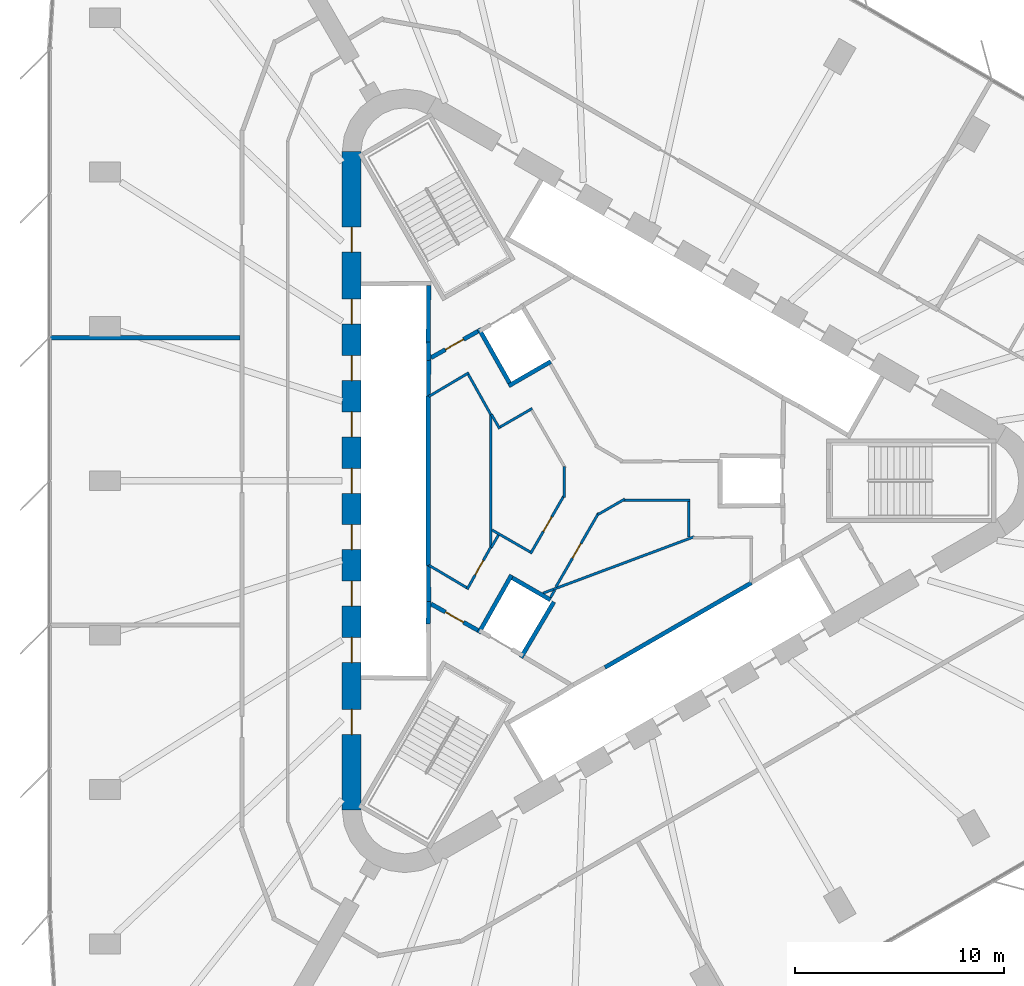
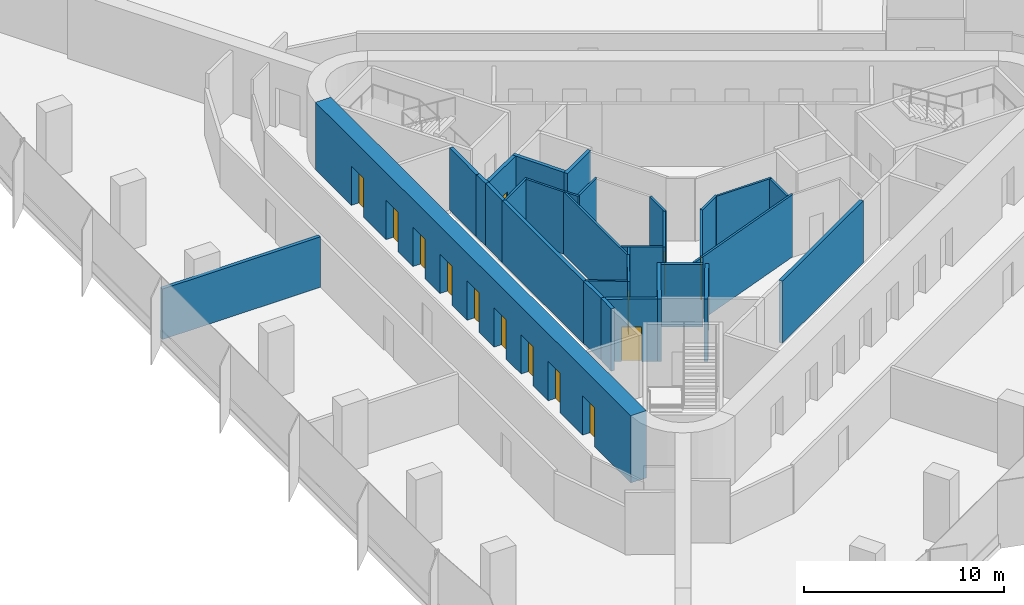
# One storey, part 10 of 14: 33 walls, 14 doors, 14 openings.
"""IFC4 building model written with IfcOpenShell, lengths in metres."""

from ifc_helpers import new_model, si_unit, direction, frame, frame_2d, origin, place, context, subcontext, project, spatial, rectangle, extrude, material, layer, layer_set, type_object, element, fill, save


model = new_model("IFC4")

# Units and contexts
model_context = context("Model", 3, precision=1e-05, world=origin(), true_north=direction((0.0, 1.0)))
body_context = subcontext(model_context, "Body", "Model", "MODEL_VIEW")
ifc_project = project(units=[si_unit("LENGTHUNIT", "METRE"), si_unit("AREAUNIT", "SQUARE_METRE"), si_unit("VOLUMEUNIT", "CUBIC_METRE"), si_unit("PLANEANGLEUNIT", "RADIAN"), si_unit("MASSUNIT", "GRAM", prefix="KILO")], contexts=[model_context])

# Site, building, storey
site_placement = place(None, origin())
site = spatial("IfcSite", under=ifc_project, at=site_placement, CompositionType="ELEMENT")
building_placement = place(site_placement, origin())
building = spatial("IfcBuilding", under=site, at=building_placement, Name="Tanit Gate Tower", CompositionType="ELEMENT")
storey_placement = place(building_placement, frame((0.0, 0.0, 45.5)))
storey = spatial("IfcBuildingStorey", under=building, at=storey_placement, Name="L07", CompositionType="ELEMENT", Elevation=45.5)

# Wall, openings, doors
ifc_material_1 = material(Name="Concrete C60/75", Category="concrete")
ifc_layer_1 = layer(ifc_material_1, 0.89990234375)
ifc_layer_set_1 = layer_set([ifc_layer_1], Name="CORE WALL 900 C60/75")
wall_type_1 = type_object("IfcWallType", Name="CORE WALL 900 C60/75", PredefinedType="SHEAR", material=ifc_layer_set_1)
wall_1_placement = place(storey_placement, frame((-11.64990234375, 15.76171875, 0.0), z_axis=(0.0, 0.0, 1.0), x_axis=(0.0, -1.0, 0.0)))
wall_1 = element("IfcWall", 1, at=wall_1_placement, inside=storey, type_object=wall_type_1, Name="CORE WALL", PredefinedType="SHEAR", context=body_context, shape_type="SweptSolid", body=[
    extrude(rectangle(XDim=31.5234375, YDim=0.89990234375, at=frame_2d((15.76171875, 0.0))), origin(), (0.0, 0.0, 1.0), 4.10009765625),
])
opening_1_placement = place(wall_1_placement, frame((7.061767578125, 0.0, 0.0)))
opening_1 = element("IfcOpeningElement", 2, at=opening_1_placement, cuts=wall_1, Name="Opening LDLL1-S00", PredefinedType="OPENING", context=body_context, shape_type="SweptSolid", body=[
    extrude(rectangle(XDim=1.199951171875, YDim=2.39990234375, at=frame_2d((0.60009765625, 1.199951171875))), frame((0.0, 0.4599609375, 0.0), z_axis=(0.0, -1.0, 0.0), x_axis=(1.0, 0.0, 0.0)), (0.0, 0.0, 1.0), 0.919921875),
])
opening_2_placement = place(wall_1_placement, frame((9.76171875, 0.0, 0.0)))
opening_2 = element("IfcOpeningElement", 3, at=opening_2_placement, cuts=wall_1, Name="Opening LDLL2-S00", PredefinedType="OPENING", context=body_context, shape_type="SweptSolid", body=[
    extrude(rectangle(XDim=1.199951171875, YDim=2.39990234375, at=frame_2d((0.60009765625, 1.199951171875))), frame((0.0, 0.4599609375, 0.0), z_axis=(0.0, -1.0, 0.0), x_axis=(1.0, 0.0, 0.0)), (0.0, 0.0, 1.0), 0.919921875),
])
opening_3_placement = place(wall_1_placement, frame((12.461669921875, 0.0, 0.0)))
opening_3 = element("IfcOpeningElement", 4, at=opening_3_placement, cuts=wall_1, Name="Opening LDLL3-S00", PredefinedType="OPENING", context=body_context, shape_type="SweptSolid", body=[
    extrude(rectangle(XDim=1.199951171875, YDim=2.39990234375, at=frame_2d((0.60009765625, 1.199951171875))), frame((0.0, 0.4599609375, 0.0), z_axis=(0.0, -1.0, 0.0), x_axis=(1.0, 0.0, 0.0)), (0.0, 0.0, 1.0), 0.919921875),
])
opening_4_placement = place(wall_1_placement, frame((15.16162109375, 0.0, 0.0)))
opening_4 = element("IfcOpeningElement", 5, at=opening_4_placement, cuts=wall_1, Name="Opening LDLL4-S00", PredefinedType="OPENING", context=body_context, shape_type="SweptSolid", body=[
    extrude(rectangle(XDim=1.199951171875, YDim=2.39990234375, at=frame_2d((0.60009765625, 1.199951171875))), frame((0.0, 0.4599609375, 0.0), z_axis=(0.0, -1.0, 0.0), x_axis=(1.0, 0.0, 0.0)), (0.0, 0.0, 1.0), 0.919921875),
])
opening_5_placement = place(wall_1_placement, frame((17.86181640625, 0.0, 0.0)))
opening_5 = element("IfcOpeningElement", 6, at=opening_5_placement, cuts=wall_1, Name="Opening LDLL5-S00", PredefinedType="OPENING", context=body_context, shape_type="SweptSolid", body=[
    extrude(rectangle(XDim=1.199951171875, YDim=2.39990234375, at=frame_2d((0.60009765625, 1.199951171875))), frame((0.0, 0.4599609375, 0.0), z_axis=(0.0, -1.0, 0.0), x_axis=(1.0, 0.0, 0.0)), (0.0, 0.0, 1.0), 0.919921875),
])
opening_6_placement = place(wall_1_placement, frame((20.561767578125, 0.0, 0.0)))
opening_6 = element("IfcOpeningElement", 7, at=opening_6_placement, cuts=wall_1, Name="Opening LDLL6-S00", PredefinedType="OPENING", context=body_context, shape_type="SweptSolid", body=[
    extrude(rectangle(XDim=1.199951171875, YDim=2.39990234375, at=frame_2d((0.60009765625, 1.199951171875))), frame((0.0, 0.4599609375, 0.0), z_axis=(0.0, -1.0, 0.0), x_axis=(1.0, 0.0, 0.0)), (0.0, 0.0, 1.0), 0.919921875),
])
opening_7_placement = place(wall_1_placement, frame((23.26171875, 0.0, 0.0)))
opening_7 = element("IfcOpeningElement", 8, at=opening_7_placement, cuts=wall_1, Name="Opening LDLL7-S00", PredefinedType="OPENING", context=body_context, shape_type="SweptSolid", body=[
    extrude(rectangle(XDim=1.199951171875, YDim=2.39990234375, at=frame_2d((0.60009765625, 1.199951171875))), frame((0.0, 0.4599609375, 0.0), z_axis=(0.0, -1.0, 0.0), x_axis=(1.0, 0.0, 0.0)), (0.0, 0.0, 1.0), 0.919921875),
])
opening_8_placement = place(wall_1_placement, frame((3.61181640625, 0.0, 0.0)))
opening_8 = element("IfcOpeningElement", 9, at=opening_8_placement, cuts=wall_1, Name="Opening F12-S00-FL2", PredefinedType="OPENING", context=body_context, shape_type="SweptSolid", body=[
    extrude(rectangle(XDim=1.199951171875, YDim=2.39990234375, at=frame_2d((0.60009765625, 1.199951171875))), frame((0.0, 0.4599609375, 0.0), z_axis=(0.0, -1.0, 0.0), x_axis=(1.0, 0.0, 0.0)), (0.0, 0.0, 1.0), 0.919921875),
])
opening_9_placement = place(wall_1_placement, frame((26.711669921875, 0.0, 0.0)))
opening_9 = element("IfcOpeningElement", 10, at=opening_9_placement, cuts=wall_1, Name="Opening F12-S00-S3", PredefinedType="OPENING", context=body_context, shape_type="SweptSolid", body=[
    extrude(rectangle(XDim=1.199951171875, YDim=2.39990234375, at=frame_2d((0.60009765625, 1.199951171875))), frame((0.0, 0.4599609375, 0.0), z_axis=(0.0, -1.0, 0.0), x_axis=(1.0, 0.0, 0.0)), (0.0, 0.0, 1.0), 0.919921875),
])
ifc_material_2 = material(Name="Fire-rated steel door leaf", Category="steel")
door_type_1 = type_object("IfcDoorType", Name="INT-DOOR-FIRE-LOBBY-1200", OperationType="NOTDEFINED", PredefinedType="USERDEFINED", material=ifc_material_2)
door_1_placement = place(opening_8_placement, origin())
door_1 = element("IfcDoor", 11, at=door_1_placement, inside=storey, type_object=door_type_1, Name="Door F12-S00-FL2", ObjectType="FIRE DOOR", OperationType="SINGLE_SWING_RIGHT", OverallHeight=2.39990234375, OverallWidth=1.199951171875, PredefinedType="USERDEFINED", context=body_context, shape_type="SweptSolid", body=[
    extrude(rectangle(XDim=1.199951171875, YDim=2.39990234375, at=frame_2d((0.60009765625, 1.199951171875))), frame((0.0, 0.02490234375, 0.0), z_axis=(0.0, -1.0, 0.0), x_axis=(1.0, 0.0, 0.0)), (0.0, 0.0, 1.0), 0.050048828125),
])
fill(opening_8, door_1)
door_2_placement = place(opening_9_placement, origin())
door_2 = element("IfcDoor", 12, at=door_2_placement, inside=storey, type_object=door_type_1, Name="Door F12-S00-S3", ObjectType="FIRE DOOR", OperationType="SINGLE_SWING_LEFT", OverallHeight=2.39990234375, OverallWidth=1.199951171875, PredefinedType="USERDEFINED", context=body_context, shape_type="SweptSolid", body=[
    extrude(rectangle(XDim=1.199951171875, YDim=2.39990234375, at=frame_2d((0.60009765625, 1.199951171875))), frame((0.0, 0.02490234375, 0.0), z_axis=(0.0, -1.0, 0.0), x_axis=(1.0, 0.0, 0.0)), (0.0, 0.0, 1.0), 0.050048828125),
])
fill(opening_9, door_2)
ifc_material_3 = material(Name="Stainless steel sliding door leaf", Category="steel")
door_type_2 = type_object("IfcDoorType", Name="INT-DOOR-LANDING-1200", OperationType="NOTDEFINED", PredefinedType="USERDEFINED", material=ifc_material_3)
door_3_placement = place(opening_1_placement, origin())
door_3 = element("IfcDoor", 13, at=door_3_placement, inside=storey, type_object=door_type_2, Name="Door LDLL1-S00", ObjectType="LANDING DOOR", OperationType="SLIDING_TO_LEFT", OverallHeight=2.39990234375, OverallWidth=1.199951171875, PredefinedType="USERDEFINED", context=body_context, shape_type="SweptSolid", body=[
    extrude(rectangle(XDim=1.199951171875, YDim=2.39990234375, at=frame_2d((0.60009765625, 1.199951171875))), frame((0.0, 0.02490234375, 0.0), z_axis=(0.0, -1.0, 0.0), x_axis=(1.0, 0.0, 0.0)), (0.0, 0.0, 1.0), 0.050048828125),
])
fill(opening_1, door_3)
door_4_placement = place(opening_2_placement, origin())
door_4 = element("IfcDoor", 14, at=door_4_placement, inside=storey, type_object=door_type_2, Name="Door LDLL2-S00", ObjectType="LANDING DOOR", OperationType="SLIDING_TO_LEFT", OverallHeight=2.39990234375, OverallWidth=1.199951171875, PredefinedType="USERDEFINED", context=body_context, shape_type="SweptSolid", body=[
    extrude(rectangle(XDim=1.199951171875, YDim=2.39990234375, at=frame_2d((0.60009765625, 1.199951171875))), frame((0.0, 0.02490234375, 0.0), z_axis=(0.0, -1.0, 0.0), x_axis=(1.0, 0.0, 0.0)), (0.0, 0.0, 1.0), 0.050048828125),
])
fill(opening_2, door_4)
door_5_placement = place(opening_3_placement, origin())
door_5 = element("IfcDoor", 15, at=door_5_placement, inside=storey, type_object=door_type_2, Name="Door LDLL3-S00", ObjectType="LANDING DOOR", OperationType="SLIDING_TO_LEFT", OverallHeight=2.39990234375, OverallWidth=1.199951171875, PredefinedType="USERDEFINED", context=body_context, shape_type="SweptSolid", body=[
    extrude(rectangle(XDim=1.199951171875, YDim=2.39990234375, at=frame_2d((0.60009765625, 1.199951171875))), frame((0.0, 0.02490234375, 0.0), z_axis=(0.0, -1.0, 0.0), x_axis=(1.0, 0.0, 0.0)), (0.0, 0.0, 1.0), 0.050048828125),
])
fill(opening_3, door_5)
door_6_placement = place(opening_4_placement, origin())
door_6 = element("IfcDoor", 16, at=door_6_placement, inside=storey, type_object=door_type_2, Name="Door LDLL4-S00", ObjectType="LANDING DOOR", OperationType="SLIDING_TO_LEFT", OverallHeight=2.39990234375, OverallWidth=1.199951171875, PredefinedType="USERDEFINED", context=body_context, shape_type="SweptSolid", body=[
    extrude(rectangle(XDim=1.199951171875, YDim=2.39990234375, at=frame_2d((0.60009765625, 1.199951171875))), frame((0.0, 0.02490234375, 0.0), z_axis=(0.0, -1.0, 0.0), x_axis=(1.0, 0.0, 0.0)), (0.0, 0.0, 1.0), 0.050048828125),
])
fill(opening_4, door_6)
door_7_placement = place(opening_5_placement, origin())
door_7 = element("IfcDoor", 17, at=door_7_placement, inside=storey, type_object=door_type_2, Name="Door LDLL5-S00", ObjectType="LANDING DOOR", OperationType="SLIDING_TO_LEFT", OverallHeight=2.39990234375, OverallWidth=1.199951171875, PredefinedType="USERDEFINED", context=body_context, shape_type="SweptSolid", body=[
    extrude(rectangle(XDim=1.199951171875, YDim=2.39990234375, at=frame_2d((0.60009765625, 1.199951171875))), frame((0.0, 0.02490234375, 0.0), z_axis=(0.0, -1.0, 0.0), x_axis=(1.0, 0.0, 0.0)), (0.0, 0.0, 1.0), 0.050048828125),
])
fill(opening_5, door_7)
door_8_placement = place(opening_6_placement, origin())
door_8 = element("IfcDoor", 18, at=door_8_placement, inside=storey, type_object=door_type_2, Name="Door LDLL6-S00", ObjectType="LANDING DOOR", OperationType="SLIDING_TO_LEFT", OverallHeight=2.39990234375, OverallWidth=1.199951171875, PredefinedType="USERDEFINED", context=body_context, shape_type="SweptSolid", body=[
    extrude(rectangle(XDim=1.199951171875, YDim=2.39990234375, at=frame_2d((0.60009765625, 1.199951171875))), frame((0.0, 0.02490234375, 0.0), z_axis=(0.0, -1.0, 0.0), x_axis=(1.0, 0.0, 0.0)), (0.0, 0.0, 1.0), 0.050048828125),
])
fill(opening_6, door_8)
door_9_placement = place(opening_7_placement, origin())
door_9 = element("IfcDoor", 19, at=door_9_placement, inside=storey, type_object=door_type_2, Name="Door LDLL7-S00", ObjectType="LANDING DOOR", OperationType="SLIDING_TO_LEFT", OverallHeight=2.39990234375, OverallWidth=1.199951171875, PredefinedType="USERDEFINED", context=body_context, shape_type="SweptSolid", body=[
    extrude(rectangle(XDim=1.199951171875, YDim=2.39990234375, at=frame_2d((0.60009765625, 1.199951171875))), frame((0.0, 0.02490234375, 0.0), z_axis=(0.0, -1.0, 0.0), x_axis=(1.0, 0.0, 0.0)), (0.0, 0.0, 1.0), 0.050048828125),
])
fill(opening_7, door_9)

# Wall, opening, door
ifc_material_4 = material(Name="Fire-rated gypsum board partition")
ifc_layer_2 = layer(ifc_material_4, 0.199951171875)
ifc_layer_set_2 = layer_set([ifc_layer_2], Name="INT-WALL-COMPARTMENT")
wall_type_2 = type_object("IfcWallType", Name="INT-WALL-COMPARTMENT", PredefinedType="PARTITIONING", material=ifc_layer_set_2)
wall_2_placement = place(storey_placement, frame((-5.600341796875, 7.16015625, 0.0), z_axis=(0.0, 0.0, 1.0), x_axis=(-0.871363259478, -0.490638431059, 0.0)))
wall_2 = element("IfcWall", 20, at=wall_2_placement, inside=storey, type_object=wall_type_2, Name="Wall Compartment W062", PredefinedType="PARTITIONING", context=body_context, shape_type="SweptSolid", body=[
    extrude(rectangle(XDim=2.5810546875, YDim=0.199951171875, at=frame_2d((1.29052734375, 0.0))), origin(), (0.0, 0.0, 1.0), 3.800048828125),
])
opening_10_placement = place(wall_2_placement, frame((0.79052734375, 0.0, 0.0)))
opening_10 = element("IfcOpeningElement", 21, at=opening_10_placement, cuts=wall_2, Name="Opening F10-S00-05", PredefinedType="OPENING", context=body_context, shape_type="SweptSolid", body=[
    extrude(rectangle(XDim=1.0, YDim=2.10009765625, at=frame_2d((0.5, 1.050048828125))), frame((0.0, 0.10986328125, 0.0), z_axis=(0.0, -1.0, 0.0), x_axis=(1.0, 0.0, 0.0)), (0.0, 0.0, 1.0), 0.219970703125),
])
ifc_material_5 = material(Name="Fire-rated steel door leaf", Category="steel")
door_type_3 = type_object("IfcDoorType", Name="INT-DOOR-FIRE-1000", OperationType="NOTDEFINED", PredefinedType="USERDEFINED", material=ifc_material_5)
door_10_placement = place(opening_10_placement, origin())
door_10 = element("IfcDoor", 22, at=door_10_placement, inside=storey, type_object=door_type_3, Name="Door F10-S00-05", ObjectType="FIRE DOOR", OperationType="SINGLE_SWING_RIGHT", OverallHeight=2.10009765625, OverallWidth=1.0, PredefinedType="USERDEFINED", context=body_context, shape_type="SweptSolid", body=[
    extrude(rectangle(XDim=1.0, YDim=2.10009765625, at=frame_2d((0.5, 1.050048828125))), frame((0.0, 0.02490234375, 0.0), z_axis=(0.0, -1.0, 0.0), x_axis=(1.0, 0.0, 0.0)), (0.0, 0.0, 1.0), 0.050048828125),
])
fill(opening_10, door_10)

wall_3_placement = place(storey_placement, frame((-7.849365234375, -5.893798828125, 0.0), z_axis=(0.0, 0.0, 1.0), x_axis=(0.871363259478, -0.490638431059, 0.0)))
wall_3 = element("IfcWall", 23, at=wall_3_placement, inside=storey, type_object=wall_type_2, Name="Wall Compartment W064", PredefinedType="PARTITIONING", context=body_context, shape_type="SweptSolid", body=[
    extrude(rectangle(XDim=2.5810546875, YDim=0.199951171875, at=frame_2d((1.29052734375, 0.0))), origin(), (0.0, 0.0, 1.0), 3.800048828125),
])
opening_11_placement = place(wall_3_placement, frame((0.79052734375, 0.0, 0.0)))
opening_11 = element("IfcOpeningElement", 24, at=opening_11_placement, cuts=wall_3, Name="Opening F10-S00-08", PredefinedType="OPENING", context=body_context, shape_type="SweptSolid", body=[
    extrude(rectangle(XDim=1.0, YDim=2.10009765625, at=frame_2d((0.5, 1.050048828125))), frame((0.0, 0.10986328125, 0.0), z_axis=(0.0, -1.0, 0.0), x_axis=(1.0, 0.0, 0.0)), (0.0, 0.0, 1.0), 0.219970703125),
])
door_11_placement = place(opening_11_placement, origin())
door_11 = element("IfcDoor", 25, at=door_11_placement, inside=storey, type_object=door_type_3, Name="Door F10-S00-08", ObjectType="FIRE DOOR", OperationType="SINGLE_SWING_LEFT", OverallHeight=2.10009765625, OverallWidth=1.0, PredefinedType="USERDEFINED", context=body_context, shape_type="SweptSolid", body=[
    extrude(rectangle(XDim=1.0, YDim=2.10009765625, at=frame_2d((0.5, 1.050048828125))), frame((0.0, 0.02490234375, 0.0), z_axis=(0.0, -1.0, 0.0), x_axis=(1.0, 0.0, 0.0)), (0.0, 0.0, 1.0), 0.050048828125),
])
fill(opening_11, door_11)

# Walls
wall_4_placement = place(storey_placement, frame((-26.10888671875, 6.851806640625, 0.0), z_axis=(0.0, 0.0, 1.0), x_axis=(0.999999998563, 5.3604932e-05, 0.0)))
element("IfcWall", 26, at=wall_4_placement, inside=storey, type_object=wall_type_2, Name="Wall Compartment W118", PredefinedType="PARTITIONING", context=body_context, shape_type="SweptSolid", body=[
    extrude(rectangle(XDim=9.10888671875, YDim=0.199951171875, at=frame_2d((4.554443359375, 0.0))), origin(), (0.0, 0.0, 1.0), 3.080078125),
])
ifc_material_6 = material(Name="Gypsum board partition")
ifc_layer_3 = layer(ifc_material_6, 0.1201171875)
ifc_layer_set_3 = layer_set([ifc_layer_3], Name="INT-WALL-PARTITION")
wall_type_3 = type_object("IfcWallType", Name="INT-WALL-PARTITION", PredefinedType="PARTITIONING", material=ifc_layer_set_3)
wall_5_placement = place(storey_placement, frame((4.769287109375, -2.673095703125, 0.0), z_axis=(0.0, 0.0, 1.0), x_axis=(-0.936819599564, -0.349812861217, 0.0)))
element("IfcWall", 27, at=wall_5_placement, inside=storey, type_object=wall_type_3, Name="Wall Partition W068", PredefinedType="PARTITIONING", context=body_context, shape_type="SweptSolid", body=[
    extrude(rectangle(XDim=7.7392578125, YDim=0.1201171875, at=frame_2d((3.86962890625, 0.0))), origin(), (0.0, 0.0, 1.0), 3.800048828125),
])

# Wall, opening, door
wall_6_placement = place(storey_placement, frame((0.181884765625, -1.534912109375, 0.0), z_axis=(0.0, 0.0, 1.0), x_axis=(-0.499966268063, -0.866044878051, 0.0)))
wall_6 = element("IfcWall", 28, at=wall_6_placement, inside=storey, type_object=wall_type_3, Name="Wall Partition W069", PredefinedType="PARTITIONING", context=body_context, shape_type="SweptSolid", body=[
    extrude(rectangle(XDim=4.102783203125, YDim=0.1201171875, at=frame_2d((2.05126953125, 0.0))), origin(), (0.0, 0.0, 1.0), 3.800048828125),
])
opening_12_placement = place(wall_6_placement, frame((1.703369140625, 0.0, 0.0)))
opening_12 = element("IfcOpeningElement", 29, at=opening_12_placement, cuts=wall_6, Name="Opening R08-S00-11", PredefinedType="OPENING", context=body_context, shape_type="SweptSolid", body=[
    extrude(rectangle(XDim=0.800048828125, YDim=2.10009765625, at=frame_2d((0.39990234375, 1.050048828125))), frame((0.0, 0.070068359375, 0.0), z_axis=(0.0, -1.0, 0.0), x_axis=(1.0, 0.0, 0.0)), (0.0, 0.0, 1.0), 0.14013671875),
])
ifc_material_7 = material(Name="Timber door leaf", Category="wood")
door_type_4 = type_object("IfcDoorType", Name="INT-DOOR-RISER-800", OperationType="NOTDEFINED", PredefinedType="USERDEFINED", material=ifc_material_7)
door_12_placement = place(opening_12_placement, origin())
door_12 = element("IfcDoor", 30, at=door_12_placement, inside=storey, type_object=door_type_4, Name="Door R08-S00-11", ObjectType="FIRE DOOR", OperationType="SINGLE_SWING_LEFT", OverallHeight=2.10009765625, OverallWidth=0.800048828125, PredefinedType="USERDEFINED", context=body_context, shape_type="SweptSolid", body=[
    extrude(rectangle(XDim=0.800048828125, YDim=2.10009765625, at=frame_2d((0.39990234375, 1.050048828125))), frame((0.0, 0.02490234375, 0.0), z_axis=(0.0, -1.0, 0.0), x_axis=(1.0, 0.0, 0.0)), (0.0, 0.0, 1.0), 0.050048828125),
])
fill(opening_12, door_12)

# Walls
wall_7_placement = place(storey_placement, frame((1.432373046875, -0.873046875, 0.0), z_axis=(0.0, 0.0, 1.0), x_axis=(-0.866029572143, -0.499992780121, 0.0)))
element("IfcWall", 31, at=wall_7_placement, inside=storey, type_object=wall_type_3, Name="Wall Partition W070", PredefinedType="PARTITIONING", context=body_context, shape_type="SweptSolid", body=[
    extrude(rectangle(XDim=1.4853515625, YDim=0.1201171875, at=frame_2d((0.74267578125, 0.0))), origin(), (0.0, 0.0, 1.0), 3.800048828125),
])
wall_8_placement = place(storey_placement, frame((4.56005859375, -0.925048828125, 0.0), z_axis=(0.0, 0.0, 1.0), x_axis=(-1.0, 0.0, 0.0)))
element("IfcWall", 32, at=wall_8_placement, inside=storey, type_object=wall_type_3, Name="Wall Partition W071", PredefinedType="PARTITIONING", context=body_context, shape_type="SweptSolid", body=[
    extrude(rectangle(XDim=3.19921875, YDim=0.1201171875, at=frame_2d((1.599609375, 0.0))), origin(), (0.0, 0.0, 1.0), 3.800048828125),
])
wall_9_placement = place(storey_placement, frame((4.5, -2.699951171875, 0.0), z_axis=(0.0, 0.0, 1.0), x_axis=(0.0, 1.0, 0.0)))
element("IfcWall", 33, at=wall_9_placement, inside=storey, type_object=wall_type_3, Name="Wall Partition W072", PredefinedType="PARTITIONING", context=body_context, shape_type="SweptSolid", body=[
    extrude(rectangle(XDim=1.71484375, YDim=0.1201171875, at=frame_2d((0.857421875, 0.0))), origin(), (0.0, 0.0, 1.0), 3.800048828125),
])
wall_10_placement = place(storey_placement, frame((-1.92041015625, -5.235107421875, 0.0), z_axis=(0.0, 0.0, 1.0), x_axis=(-0.499566316511, -0.86627564632, 0.0)))
element("IfcWall", 34, at=wall_10_placement, inside=storey, type_object=wall_type_3, Name="Wall Partition W073", PredefinedType="PARTITIONING", context=body_context, shape_type="SweptSolid", body=[
    extrude(rectangle(XDim=0.406005859375, YDim=0.1201171875, at=frame_2d((0.203125, 0.0))), origin(), (0.0, 0.0, 1.0), 3.800048828125),
])
wall_11_placement = place(storey_placement, frame((-4.985107421875, -3.234619140625, 0.0), z_axis=(0.0, 0.0, 1.0), x_axis=(0.0, 1.0, 0.0)))
element("IfcWall", 35, at=wall_11_placement, inside=storey, type_object=wall_type_3, Name="Wall Partition W076", PredefinedType="PARTITIONING", context=body_context, shape_type="SweptSolid", body=[
    extrude(rectangle(XDim=6.46923828125, YDim=0.1201171875, at=frame_2d((3.234619140625, 0.0))), origin(), (0.0, 0.0, 1.0), 3.800048828125),
])

# Wall, opening, door
wall_12_placement = place(storey_placement, frame((-6.11767578125, -5.197509765625, 0.0), z_axis=(0.0, 0.0, 1.0), x_axis=(0.488782681023, 0.872405576972, 0.0)))
wall_12 = element("IfcWall", 36, at=wall_12_placement, inside=storey, type_object=wall_type_3, Name="Wall Partition W077", PredefinedType="PARTITIONING", context=body_context, shape_type="SweptSolid", body=[
    extrude(rectangle(XDim=2.321533203125, YDim=0.1201171875, at=frame_2d((1.16064453125, 0.0))), origin(), (0.0, 0.0, 1.0), 3.800048828125),
])
opening_13_placement = place(wall_12_placement, frame((0.790771484375, 0.0, 0.0)))
opening_13 = element("IfcOpeningElement", 37, at=opening_13_placement, cuts=wall_12, Name="Opening R08-S00-13", PredefinedType="OPENING", context=body_context, shape_type="SweptSolid", body=[
    extrude(rectangle(XDim=0.800048828125, YDim=2.10009765625, at=frame_2d((0.39990234375, 1.050048828125))), frame((0.0, 0.070068359375, 0.0), z_axis=(0.0, -1.0, 0.0), x_axis=(1.0, 0.0, 0.0)), (0.0, 0.0, 1.0), 0.14013671875),
])
door_13_placement = place(opening_13_placement, origin())
door_13 = element("IfcDoor", 38, at=door_13_placement, inside=storey, type_object=door_type_4, Name="Door R08-S00-13", ObjectType="FIRE DOOR", OperationType="SINGLE_SWING_RIGHT", OverallHeight=2.10009765625, OverallWidth=0.800048828125, PredefinedType="USERDEFINED", context=body_context, shape_type="SweptSolid", body=[
    extrude(rectangle(XDim=0.800048828125, YDim=2.10009765625, at=frame_2d((0.39990234375, 1.050048828125))), frame((0.0, 0.02490234375, 0.0), z_axis=(0.0, -1.0, 0.0), x_axis=(1.0, 0.0, 0.0)), (0.0, 0.0, 1.0), 0.050048828125),
])
fill(opening_13, door_13)

# Walls
wall_13_placement = place(storey_placement, frame((-7.949951171875, -4.041015625, 0.0), z_axis=(0.0, 0.0, 1.0), x_axis=(0.860112457103, -0.510104461004, 0.0)))
element("IfcWall", 39, at=wall_13_placement, inside=storey, type_object=wall_type_3, Name="Wall Partition W078", PredefinedType="PARTITIONING", context=body_context, shape_type="SweptSolid", body=[
    extrude(rectangle(XDim=2.1044921875, YDim=0.1201171875, at=frame_2d((1.05224609375, 0.0))), origin(), (0.0, 0.0, 1.0), 3.800048828125),
])
wall_14_placement = place(storey_placement, frame((-6.03662109375, 5.17578125, 0.0), z_axis=(0.0, 0.0, 1.0), x_axis=(-0.860106072674, -0.510115225953, 0.0)))
element("IfcWall", 40, at=wall_14_placement, inside=storey, type_object=wall_type_3, Name="Wall Partition W079", PredefinedType="PARTITIONING", context=body_context, shape_type="SweptSolid", body=[
    extrude(rectangle(XDim=2.224609375, YDim=0.1201171875, at=frame_2d((1.1123046875, 0.0))), origin(), (0.0, 0.0, 1.0), 3.800048828125),
])
wall_15_placement = place(storey_placement, frame((-4.98291015625, 3.172119140625, 0.0), z_axis=(0.0, 0.0, 1.0), x_axis=(-0.488728310113, 0.872436037136, 0.0)))
element("IfcWall", 41, at=wall_15_placement, inside=storey, type_object=wall_type_3, Name="Wall Partition W080", PredefinedType="PARTITIONING", context=body_context, shape_type="SweptSolid", body=[
    extrude(rectangle(XDim=2.201416015625, YDim=0.1201171875, at=frame_2d((1.1005859375, 0.0))), origin(), (0.0, 0.0, 1.0), 3.800048828125),
])
wall_16_placement = place(storey_placement, frame((-4.558349609375, 2.4951171875, 0.0), z_axis=(0.0, 0.0, 1.0), x_axis=(-0.499757756434, 0.866165218006, 0.0)))
element("IfcWall", 42, at=wall_16_placement, inside=storey, type_object=wall_type_3, Name="Wall Partition W081", PredefinedType="PARTITIONING", context=body_context, shape_type="SweptSolid", body=[
    extrude(rectangle(XDim=0.79833984375, YDim=0.1201171875, at=frame_2d((0.399169921875, 0.0))), origin(), (0.0, 0.0, 1.0), 3.800048828125),
])
wall_17_placement = place(storey_placement, frame((-2.9990234375, 3.464599609375, 0.0), z_axis=(0.0, 0.0, 1.0), x_axis=(-0.866059624469, -0.499940723351, 0.0)))
element("IfcWall", 43, at=wall_17_placement, inside=storey, type_object=wall_type_3, Name="Wall Partition W082", PredefinedType="PARTITIONING", context=body_context, shape_type="SweptSolid", body=[
    extrude(rectangle(XDim=1.775146484375, YDim=0.1201171875, at=frame_2d((0.8876953125, 0.0))), origin(), (0.0, 0.0, 1.0), 3.800048828125),
])
wall_18_placement = place(storey_placement, frame((-1.47216796875, -0.803955078125, 0.0), z_axis=(0.0, 0.0, 1.0), x_axis=(0.0, 1.0, 0.0)))
element("IfcWall", 44, at=wall_18_placement, inside=storey, type_object=wall_type_3, Name="Wall Partition W084", PredefinedType="PARTITIONING", context=body_context, shape_type="SweptSolid", body=[
    extrude(rectangle(XDim=1.4853515625, YDim=0.1201171875, at=frame_2d((0.74267578125, 0.0))), origin(), (0.0, 0.0, 1.0), 3.800048828125),
])

# Wall, opening, door
wall_19_placement = place(storey_placement, frame((-3.0810546875, -3.486572265625, 0.0), z_axis=(0.0, 0.0, 1.0), x_axis=(0.500013115284, 0.866017831539, 0.0)))
wall_19 = element("IfcWall", 45, at=wall_19_placement, inside=storey, type_object=wall_type_3, Name="Wall Partition W085", PredefinedType="PARTITIONING", context=body_context, shape_type="SweptSolid", body=[
    extrude(rectangle(XDim=3.19921875, YDim=0.1201171875, at=frame_2d((1.599609375, 0.0))), origin(), (0.0, 0.0, 1.0), 3.800048828125),
])
opening_14_placement = place(wall_19_placement, frame((1.2294921875, 0.0, 0.0)))
opening_14 = element("IfcOpeningElement", 46, at=opening_14_placement, cuts=wall_19, Name="Opening R08-S00-14", PredefinedType="OPENING", context=body_context, shape_type="SweptSolid", body=[
    extrude(rectangle(XDim=0.800048828125, YDim=2.10009765625, at=frame_2d((0.39990234375, 1.050048828125))), frame((0.0, 0.070068359375, 0.0), z_axis=(0.0, -1.0, 0.0), x_axis=(1.0, 0.0, 0.0)), (0.0, 0.0, 1.0), 0.14013671875),
])
door_14_placement = place(opening_14_placement, origin())
door_14 = element("IfcDoor", 47, at=door_14_placement, inside=storey, type_object=door_type_4, Name="Door R08-S00-14", ObjectType="FIRE DOOR", OperationType="SINGLE_SWING_LEFT", OverallHeight=2.10009765625, OverallWidth=0.800048828125, PredefinedType="USERDEFINED", context=body_context, shape_type="SweptSolid", body=[
    extrude(rectangle(XDim=0.800048828125, YDim=2.10009765625, at=frame_2d((0.39990234375, 1.050048828125))), frame((0.0, 0.02490234375, 0.0), z_axis=(0.0, -1.0, 0.0), x_axis=(1.0, 0.0, 0.0)), (0.0, 0.0, 1.0), 0.050048828125),
])
fill(opening_14, door_14)

# Walls
wall_20_placement = place(storey_placement, frame((-4.92529296875, -2.3525390625, 0.0), z_axis=(0.0, 0.0, 1.0), x_axis=(0.86604260665, -0.49997020258, 0.0)))
element("IfcWall", 48, at=wall_20_placement, inside=storey, type_object=wall_type_3, Name="Wall Partition W086", PredefinedType="PARTITIONING", context=body_context, shape_type="SweptSolid", body=[
    extrude(rectangle(XDim=2.104248046875, YDim=0.1201171875, at=frame_2d((1.05224609375, 0.0))), origin(), (0.0, 0.0, 1.0), 3.800048828125),
])
wall_21_placement = place(storey_placement, frame((-4.957275390625, -3.1865234375, 0.0), z_axis=(0.0, 0.0, 1.0), x_axis=(0.499971721724, 0.866041729639, 0.0)))
element("IfcWall", 49, at=wall_21_placement, inside=storey, type_object=wall_type_3, Name="Wall Partition W087", PredefinedType="PARTITIONING", context=body_context, shape_type="SweptSolid", body=[
    extrude(rectangle(XDim=0.67822265625, YDim=0.1201171875, at=frame_2d((0.339111328125, 0.0))), origin(), (0.0, 0.0, 1.0), 3.800048828125),
])
ifc_material_8 = material(Name="Gypsum shaft wall system")
ifc_layer_4 = layer(ifc_material_8, 0.199951171875)
ifc_layer_set_4 = layer_set([ifc_layer_4], Name="INT-WALL-SHAFT")
wall_type_4 = type_object("IfcWallType", Name="INT-WALL-SHAFT", PredefinedType="PLUMBINGWALL", material=ifc_layer_set_4)
wall_22_placement = place(storey_placement, frame((-7.951171875, 9.35009765625, 0.0), z_axis=(0.0, 0.0, 1.0), x_axis=(-0.011120469654, -0.999938165666, 0.0)))
element("IfcWall", 50, at=wall_22_placement, inside=storey, type_object=wall_type_4, Name="Wall Shaft W002", PredefinedType="PLUMBINGWALL", context=body_context, shape_type="SweptSolid", body=[
    extrude(rectangle(XDim=2.700439453125, YDim=0.199951171875, at=frame_2d((1.35009765625, 0.0))), origin(), (0.0, 0.0, 1.0), 3.800048828125),
])
wall_23_placement = place(storey_placement, frame((-7.97705078125, 6.650146484375, 0.0), z_axis=(0.0, 0.0, 1.0), x_axis=(0.030861509705, -0.999523670164, 0.0)))
element("IfcWall", 51, at=wall_23_placement, inside=storey, type_object=wall_type_4, Name="Wall Shaft W004", PredefinedType="PLUMBINGWALL", context=body_context, shape_type="SweptSolid", body=[
    extrude(rectangle(XDim=0.878173828125, YDim=0.199951171875, at=frame_2d((0.43896484375, 0.0))), origin(), (0.0, 0.0, 1.0), 3.800048828125),
])
wall_24_placement = place(storey_placement, frame((-7.94921875, 5.894775390625, 0.0), z_axis=(0.0, 0.0, 1.0), x_axis=(-0.012042535896, -0.999927486035, 0.0)))
element("IfcWall", 52, at=wall_24_placement, inside=storey, type_object=wall_type_4, Name="Wall Shaft W005", PredefinedType="PLUMBINGWALL", context=body_context, shape_type="SweptSolid", body=[
    extrude(rectangle(XDim=1.844970703125, YDim=0.199951171875, at=frame_2d((0.92236328125, 0.0))), origin(), (0.0, 0.0, 1.0), 3.800048828125),
])
wall_25_placement = place(storey_placement, frame((-7.97998046875, 4.050048828125, 0.0), z_axis=(0.0, 0.0, 1.0), x_axis=(0.0, -1.0, 0.0)))
element("IfcWall", 53, at=wall_25_placement, inside=storey, type_object=wall_type_4, Name="Wall Shaft W006", PredefinedType="PLUMBINGWALL", context=body_context, shape_type="SweptSolid", body=[
    extrude(rectangle(XDim=8.10009765625, YDim=0.199951171875, at=frame_2d((4.050048828125, 0.0))), origin(), (0.0, 0.0, 1.0), 3.800048828125),
])
wall_26_placement = place(storey_placement, frame((-7.949951171875, -5.7724609375, 0.0), z_axis=(0.0, 0.0, 1.0), x_axis=(-0.030803413295, -0.999525462272, 0.0)))
element("IfcWall", 54, at=wall_26_placement, inside=storey, type_object=wall_type_4, Name="Wall Shaft W009", PredefinedType="PLUMBINGWALL", context=body_context, shape_type="SweptSolid", body=[
    extrude(rectangle(XDim=1.077880859375, YDim=0.199951171875, at=frame_2d((0.5390625, 0.0))), origin(), (0.0, 0.0, 1.0), 3.800048828125),
])
wall_27_placement = place(storey_placement, frame((-7.971435546875, -4.050048828125, 0.0), z_axis=(0.0, 0.0, 1.0), x_axis=(0.012042535896, -0.999927486035, 0.0)))
element("IfcWall", 55, at=wall_27_placement, inside=storey, type_object=wall_type_4, Name="Wall Shaft W010", PredefinedType="PLUMBINGWALL", context=body_context, shape_type="SweptSolid", body=[
    extrude(rectangle(XDim=1.844970703125, YDim=0.199951171875, at=frame_2d((0.92236328125, 0.0))), origin(), (0.0, 0.0, 1.0), 3.800048828125),
])
wall_28_placement = place(storey_placement, frame((0.482666015625, -8.935791015625, 0.0), z_axis=(0.0, 0.0, 1.0), x_axis=(0.866030989016, 0.499990325971, 0.0)))
element("IfcWall", 56, at=wall_28_placement, inside=storey, type_object=wall_type_4, Name="Wall Shaft W031", PredefinedType="PLUMBINGWALL", context=body_context, shape_type="SweptSolid", body=[
    extrude(rectangle(XDim=8.099853515625, YDim=0.199951171875, at=frame_2d((4.0498046875, 0.0))), origin(), (0.0, 0.0, 1.0), 3.800048828125),
])
wall_29_placement = place(storey_placement, frame((-2.1083984375, 5.7109375, 0.0), z_axis=(0.0, 0.0, 1.0), x_axis=(-0.866009305107, -0.50002788269, 0.0)))
element("IfcWall", 57, at=wall_29_placement, inside=storey, type_object=wall_type_4, Name="Wall Shaft W047", PredefinedType="PLUMBINGWALL", context=body_context, shape_type="SweptSolid", body=[
    extrude(rectangle(XDim=2.329345703125, YDim=0.199951171875, at=frame_2d((1.16455078125, 0.0))), origin(), (0.0, 0.0, 1.0), 3.800048828125),
])
wall_30_placement = place(storey_placement, frame((-5.5625, 7.29638671875, 0.0), z_axis=(0.0, 0.0, 1.0), x_axis=(0.49134651263, -0.870964180966, 0.0)))
element("IfcWall", 58, at=wall_30_placement, inside=storey, type_object=wall_type_4, Name="Wall Shaft W048", PredefinedType="PLUMBINGWALL", context=body_context, shape_type="SweptSolid", body=[
    extrude(rectangle(XDim=3.000244140625, YDim=0.199951171875, at=frame_2d((1.5, 0.0))), origin(), (0.0, 0.0, 1.0), 3.800048828125),
])
wall_31_placement = place(storey_placement, frame((-1.960693359375, -5.796142578125, 0.0), z_axis=(0.0, 0.0, 1.0), x_axis=(-0.508647062354, -0.860975125052, 0.0)))
element("IfcWall", 59, at=wall_31_placement, inside=storey, type_object=wall_type_4, Name="Wall Shaft W054", PredefinedType="PLUMBINGWALL", context=body_context, shape_type="SweptSolid", body=[
    extrude(rectangle(XDim=3.10009765625, YDim=0.199951171875, at=frame_2d((1.550048828125, 0.0))), origin(), (0.0, 0.0, 1.0), 3.800048828125),
])
wall_32_placement = place(storey_placement, frame((-3.989990234375, -4.509033203125, 0.0), z_axis=(0.0, 0.0, 1.0), x_axis=(-0.491358283181, -0.870957540612, 0.0)))
element("IfcWall", 60, at=wall_32_placement, inside=storey, type_object=wall_type_4, Name="Wall Shaft W055", PredefinedType="PLUMBINGWALL", context=body_context, shape_type="SweptSolid", body=[
    extrude(rectangle(XDim=3.200439453125, YDim=0.199951171875, at=frame_2d((1.60009765625, 0.0))), origin(), (0.0, 0.0, 1.0), 3.800048828125),
])
wall_33_placement = place(storey_placement, frame((-3.95263671875, -4.646240234375, 0.0), z_axis=(0.0, 0.0, 1.0), x_axis=(0.866060616833, -0.499939004251, 0.0)))
element("IfcWall", 61, at=wall_33_placement, inside=storey, type_object=wall_type_4, Name="Wall Shaft W056", PredefinedType="PLUMBINGWALL", context=body_context, shape_type="SweptSolid", body=[
    extrude(rectangle(XDim=2.114501953125, YDim=0.199951171875, at=frame_2d((1.05712890625, 0.0))), origin(), (0.0, 0.0, 1.0), 3.800048828125),
])

save(model, "model.ifc")
